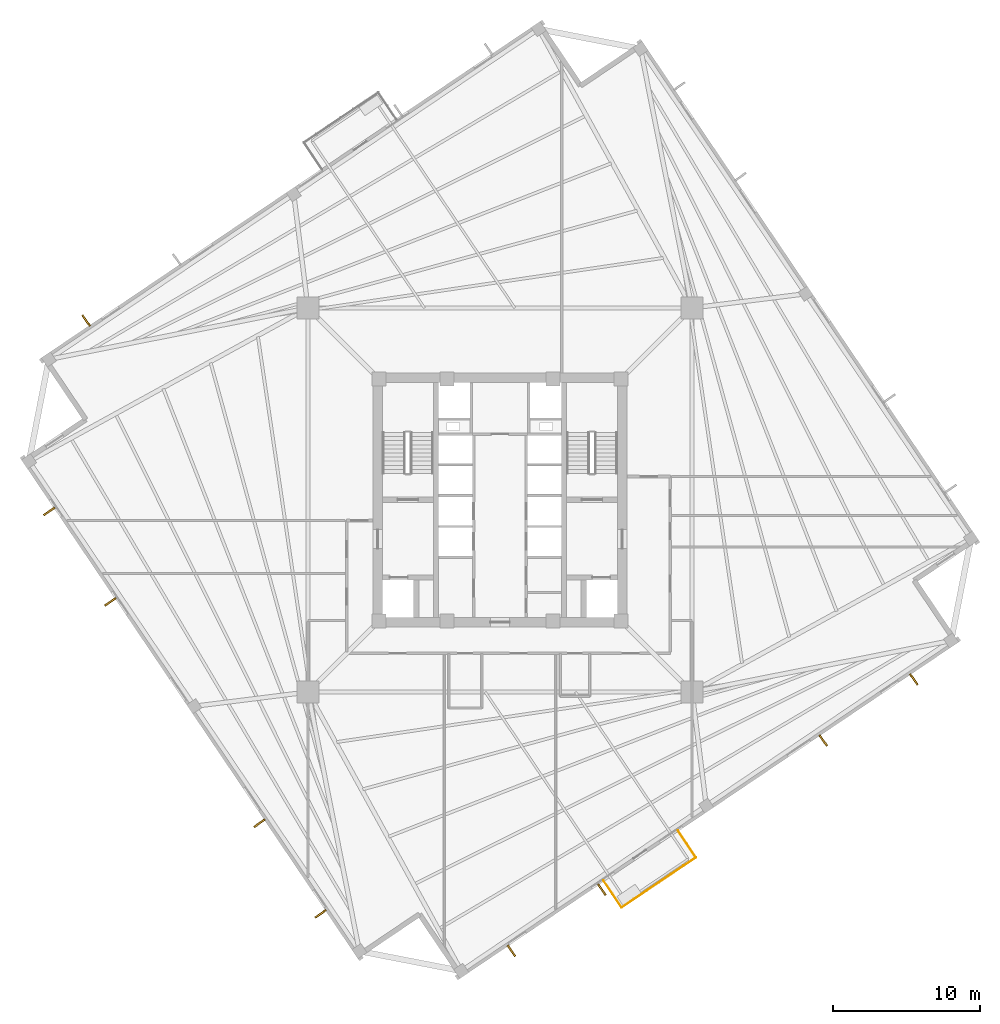
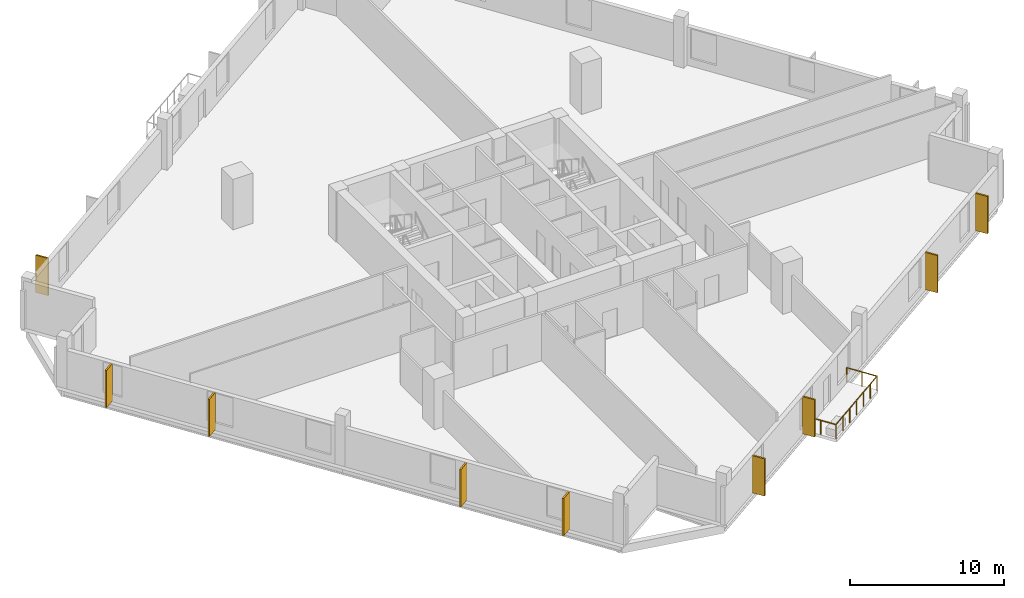
# One storey, part 6 of 8: 9 coverings, 3 railings.
"""IFC4 building model written with IfcOpenShell, lengths in metres."""

from ifc_helpers import new_model, si_unit, direction, frame, origin, origin_2d, place, context, subcontext, project, spatial, rectangle, circle, extrude, source, transform, mapped, material, layer, layer_set, type_object, element, save


model = new_model("IFC4")

# Units and contexts
model_context = context("Model", 3, precision=1e-05, world=origin(), true_north=direction((0.0, 1.0)))
body_context = subcontext(model_context, "Body", "Model", "MODEL_VIEW")
ifc_project = project(units=[si_unit("LENGTHUNIT", "METRE"), si_unit("AREAUNIT", "SQUARE_METRE"), si_unit("VOLUMEUNIT", "CUBIC_METRE"), si_unit("PLANEANGLEUNIT", "RADIAN"), si_unit("MASSUNIT", "GRAM", prefix="KILO"), si_unit("THERMODYNAMICTEMPERATUREUNIT", "KELVIN")], contexts=[model_context])

# Site, building, storey
site_placement = place(None, origin())
site = spatial("IfcSite", under=ifc_project, at=site_placement, CompositionType="ELEMENT")
building_placement = place(site_placement, origin())
building = spatial("IfcBuilding", under=site, at=building_placement, Name="Kosmvard Interchange Tower", CompositionType="ELEMENT")
storey_placement = place(building_placement, frame((0.0, 0.0, 176.39990234375)))
storey = spatial("IfcBuildingStorey", under=building, at=storey_placement, Name="L42", CompositionType="ELEMENT", Elevation=176.39990234375)

# Coverings
ifc_material_1 = material(Name="Architectural anodised aluminium", Category="aluminium")
ifc_layer = layer(ifc_material_1, 0.1201171875, Name="Architectural anodised aluminium")
ifc_layer_set = layer_set([ifc_layer], Name="Architectural anodised aluminium")
covering_type = type_object("IfcCoveringType", Name="Rotating Vertical Sun-Breaker Fin 900x120 Aluminium", PredefinedType="CLADDING", material=ifc_layer_set)
shared_shape_1 = source(origin(), body_context, "Body", "SweptSolid", [
    extrude(rectangle(XDim=0.89990234375, YDim=0.1201171875, at=origin_2d()), origin(), (0.0, 0.0, 1.0), 2.9599609375),
])
for number, where, z_axis, x_axis, name in (
    (1, (0.774169921875, -30.718994140625, 0.0400390625), (0.0, 0.0, 1.0), (0.568992506345, -0.82234270698, 0.0), "L42 Rotating Vertical Sun-Breaker Fin 01"),
    (2, (6.943115234375, -26.557861328125, 0.0400390625), (0.0, 0.0, 1.0), (0.568992506345, -0.82234270698, 0.0), "L42 Rotating Vertical Sun-Breaker Fin 02"),
    (3, (22.02294921875, -16.38623046875, 0.0400390625), (0.0, 0.0, 1.0), (0.568992506345, -0.82234270698, 0.0), "L42 Rotating Vertical Sun-Breaker Fin 03"),
    (4, (28.192138671875, -12.225341796875, 0.0400390625), (0.0, 0.0, 1.0), (0.568992506345, -0.82234270698, 0.0), "L42 Rotating Vertical Sun-Breaker Fin 04"),
    (5, (-28.192138671875, 12.225341796875, 0.0400390625), (0.0, 0.0, 1.0), (-0.568992506345, 0.82234270698, 0.0), "L42 Rotating Vertical Sun-Breaker Fin 12"),
    (6, (-30.718994140625, -0.774169921875, 0.0400390625), (0.0, 0.0, 1.0), (-0.82234270698, -0.568992506345, 0.0), "L42 Rotating Vertical Sun-Breaker Fin 13"),
    (7, (-26.557861328125, -6.943115234375, 0.0400390625), (0.0, 0.0, 1.0), (-0.82234270698, -0.568992506345, 0.0), "L42 Rotating Vertical Sun-Breaker Fin 14"),
    (8, (-16.38623046875, -22.02294921875, 0.0400390625), (0.0, 0.0, 1.0), (-0.82234270698, -0.568992506345, 0.0), "L42 Rotating Vertical Sun-Breaker Fin 15"),
    (9, (-12.225341796875, -28.192138671875, 0.0400390625), (0.0, 0.0, 1.0), (-0.82234270698, -0.568992506345, 0.0), "L42 Rotating Vertical Sun-Breaker Fin 16"),
):
    element("IfcCovering", number, at=place(storey_placement, frame(where, z_axis=z_axis, x_axis=x_axis)), inside=storey, type_object=covering_type, Name=name, PredefinedType="CLADDING", context=body_context, shape_type="MappedRepresentation", body=[
        mapped(shared_shape_1, transform((0.0, 0.0, 0.0), scale=1.0)),
    ])

# Railings
ifc_material_2 = material(Name="Steel S355", Category="steel")
railing_type = type_object("IfcRailingType", Name="Observation & Balcony Glass-Infill Balustrade 1150", PredefinedType="BALUSTRADE", material=ifc_material_2)
shared_shape_2 = source(origin(), body_context, "Body", "SweptSolid", [
    extrude(circle(Radius=0.02392578125, at=origin_2d()), frame((0.0, 0.0, 1.1259765625), z_axis=(0.559173597279, -0.829050594418, 0.0), x_axis=(0.829050594418, 0.559173597279, 0.0)), (0.0, 0.0, 1.0), 2.2001953125),
    extrude(circle(Radius=0.02099609375, at=origin_2d()), origin(), (0.0, 0.0, 1.0), 1.101806640625),
    extrude(circle(Radius=0.02099609375, at=origin_2d()), frame((0.615234375, -0.912109375, 0.0)), (0.0, 0.0, 1.0), 1.101806640625),
    extrude(circle(Radius=0.02099609375, at=origin_2d()), frame((1.230224609375, -1.823974609375, 0.0)), (0.0, 0.0, 1.0), 1.101806640625),
])
railing_1_placement = place(storey_placement, frame((7.060302734375, -25.93603515625, 0.0)))
element("IfcRailing", 10, at=railing_1_placement, inside=storey, type_object=railing_type, Name="L42 Outdoor Terrace Guard BAL-L42-S-A", PredefinedType="BALUSTRADE", context=body_context, shape_type="MappedRepresentation", body=[
    mapped(shared_shape_2, transform((0.0, 0.0, 0.0), scale=1.0)),
])
shared_shape_3 = source(origin(), body_context, "Body", "SweptSolid", [
    extrude(circle(Radius=0.02392578125, at=origin_2d()), frame((0.0, 0.0, 1.1259765625), z_axis=(0.829033294248, 0.55919924627, 0.0), x_axis=(-0.55919924627, 0.829033294248, 0.0)), (0.0, 0.0, 1.0), 6.10009765625),
    extrude(circle(Radius=0.02099609375, at=origin_2d()), origin(), (0.0, 0.0, 1.0), 1.101806640625),
    extrude(circle(Radius=0.02099609375, at=origin_2d()), frame((0.8427734375, 0.568603515625, 0.0)), (0.0, 0.0, 1.0), 1.101806640625),
    extrude(circle(Radius=0.02099609375, at=origin_2d()), frame((1.685791015625, 1.136962890625, 0.0)), (0.0, 0.0, 1.0), 1.101806640625),
    extrude(circle(Radius=0.02099609375, at=origin_2d()), frame((2.528564453125, 1.70556640625, 0.0)), (0.0, 0.0, 1.0), 1.101806640625),
    extrude(circle(Radius=0.02099609375, at=origin_2d()), frame((3.371337890625, 2.274169921875, 0.0)), (0.0, 0.0, 1.0), 1.101806640625),
    extrude(circle(Radius=0.02099609375, at=origin_2d()), frame((4.21435546875, 2.842529296875, 0.0)), (0.0, 0.0, 1.0), 1.101806640625),
    extrude(circle(Radius=0.02099609375, at=origin_2d()), frame((5.05712890625, 3.4111328125, 0.0)), (0.0, 0.0, 1.0), 1.101806640625),
])
railing_2_placement = place(storey_placement, frame((8.29052734375, -27.760009765625, 0.0)))
element("IfcRailing", 11, at=railing_2_placement, inside=storey, type_object=railing_type, Name="L42 Outdoor Terrace Guard BAL-L42-S-B", PredefinedType="BALUSTRADE", context=body_context, shape_type="MappedRepresentation", body=[
    mapped(shared_shape_3, transform((0.0, 0.0, 0.0), scale=1.0)),
])
shared_shape_4 = source(origin(), body_context, "Body", "SweptSolid", [
    extrude(circle(Radius=0.02392578125, at=origin_2d()), frame((0.0, 0.0, 1.1259765625), z_axis=(-0.559173597279, 0.829050594418, 0.0), x_axis=(-0.829050594418, -0.559173597279, 0.0)), (0.0, 0.0, 1.0), 2.2001953125),
    extrude(circle(Radius=0.02099609375, at=origin_2d()), origin(), (0.0, 0.0, 1.0), 1.101806640625),
    extrude(circle(Radius=0.02099609375, at=origin_2d()), frame((-0.615234375, 0.912109375, 0.0)), (0.0, 0.0, 1.0), 1.101806640625),
    extrude(circle(Radius=0.02099609375, at=origin_2d()), frame((-1.230224609375, 1.823974609375, 0.0)), (0.0, 0.0, 1.0), 1.101806640625),
])
railing_3_placement = place(storey_placement, frame((13.34765625, -24.348876953125, 0.0)))
element("IfcRailing", 12, at=railing_3_placement, inside=storey, type_object=railing_type, Name="L42 Outdoor Terrace Guard BAL-L42-S-C", PredefinedType="BALUSTRADE", context=body_context, shape_type="MappedRepresentation", body=[
    mapped(shared_shape_4, transform((0.0, 0.0, 0.0), scale=1.0)),
])

save(model, "model.ifc")
